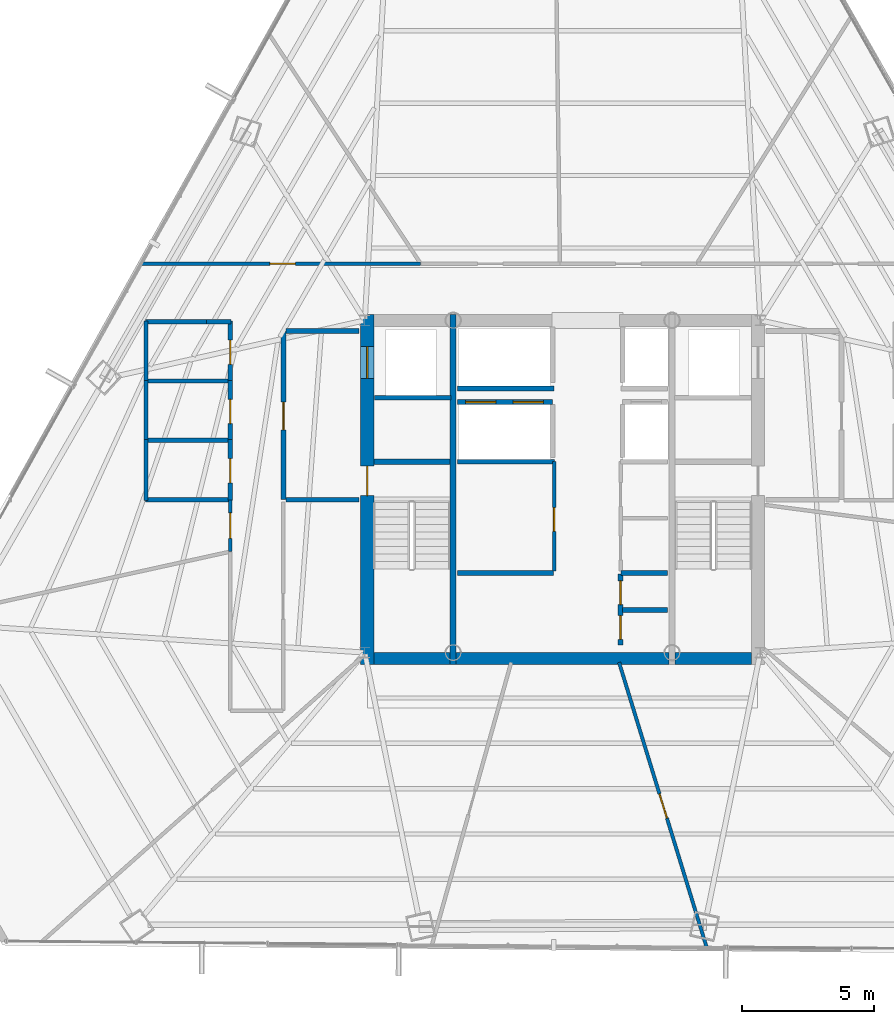
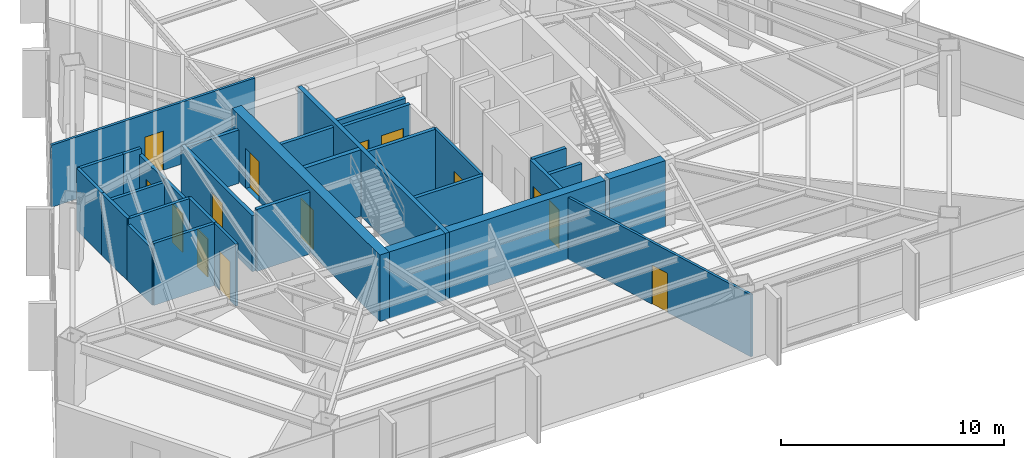
# One storey, part 34 of 39: 32 walls, 14 doors, 14 openings.
"""IFC4 building model written with IfcOpenShell, lengths in metres."""

from ifc_helpers import new_model, si_unit, direction, frame, frame_2d, origin, place, context, subcontext, project, spatial, rectangle, extrude, material, layer, layer_set, type_object, element, fill, save


model = new_model("IFC4")

# Units and contexts
model_context = context("Model", 3, precision=1e-05, world=origin(), true_north=direction((0.0, 1.0)))
body_context = subcontext(model_context, "Body", "Model", "MODEL_VIEW")
ifc_project = project(units=[si_unit("LENGTHUNIT", "METRE"), si_unit("AREAUNIT", "SQUARE_METRE"), si_unit("VOLUMEUNIT", "CUBIC_METRE"), si_unit("PLANEANGLEUNIT", "RADIAN"), si_unit("MASSUNIT", "GRAM", prefix="KILO")], contexts=[model_context])

# Site, building, storey
site_placement = place(None, origin())
site = spatial("IfcSite", under=ifc_project, at=site_placement, CompositionType="ELEMENT")
building_placement = place(site_placement, origin())
building = spatial("IfcBuilding", under=site, at=building_placement, Name="Caelisora Broadcast Tower", CompositionType="ELEMENT")
storey_placement = place(building_placement, frame((0.0, 0.0, 139.10009765625)))
storey = spatial("IfcBuildingStorey", under=building, at=storey_placement, Name="L36", CompositionType="ELEMENT", Elevation=139.10009765625)

# Wall, openings, doors
ifc_material_1 = material(Name="Concrete 50 MPa (AS 3600 S50)", Category="concrete")
ifc_layer_1 = layer(ifc_material_1, 0.5, Name="Concrete 50 MPa (AS 3600 S50)")
ifc_layer_set_1 = layer_set([ifc_layer_1], Name="Concrete 50 MPa (AS 3600 S50)")
wall_type_1 = type_object("IfcWallType", Name="CW2", PredefinedType="SHEAR", material=ifc_layer_set_1)
wall_1_placement = place(storey_placement, frame((30.590087890625, 16.949951171875, 0.0), z_axis=(0.0, 0.0, 1.0), x_axis=(0.0, 1.0, 0.0)))
wall_1 = element("IfcWall", 1, at=wall_1_placement, inside=storey, type_object=wall_type_1, Name="L36 core shear wall CW2", PredefinedType="SHEAR", context=body_context, shape_type="SweptSolid", body=[
    extrude(rectangle(XDim=13.275146484375, YDim=0.5, at=frame_2d((6.6376953125, 0.0))), origin(), (0.0, 0.0, 1.0), 3.64990234375),
])
opening_1_placement = place(wall_1_placement, frame((6.39990234375, 0.0, 0.0)))
opening_1 = element("IfcOpeningElement", 2, at=opening_1_placement, cuts=wall_1, Name="Opening FD04", PredefinedType="OPENING", context=body_context, shape_type="SweptSolid", body=[
    extrude(rectangle(XDim=1.1201171875, YDim=2.14990234375, at=frame_2d((0.56005859375, 1.074951171875))), frame((0.0, 0.261962890625, 0.0), z_axis=(0.0, -1.0, 0.0), x_axis=(1.0, 0.0, 0.0)), (0.0, 0.0, 1.0), 0.52392578125),
])
opening_2_placement = place(wall_1_placement, frame((10.85009765625, 0.0, 0.0)))
opening_2 = element("IfcOpeningElement", 3, at=opening_2_placement, cuts=wall_1, Name="Opening LD04", PredefinedType="OPENING", context=body_context, shape_type="SweptSolid", body=[
    extrude(rectangle(XDim=1.199951171875, YDim=2.199951171875, at=frame_2d((0.60009765625, 1.10009765625))), frame((0.0, 0.261962890625, 0.0), z_axis=(0.0, -1.0, 0.0), x_axis=(1.0, 0.0, 0.0)), (0.0, 0.0, 1.0), 0.52392578125),
])
ifc_material_2 = material(Name="Pressurised Fire-Isolated Stair Door", Category="steel")
door_type_1 = type_object("IfcDoorType", Name="FD04", OperationType="NOTDEFINED", PredefinedType="DOOR", material=ifc_material_2)
door_1_placement = place(opening_1_placement, origin())
door_1 = element("IfcDoor", 4, at=door_1_placement, inside=storey, type_object=door_type_1, Name="L36 door FD04 (L36-DR-ST1)", OperationType="SINGLE_SWING_LEFT", OverallHeight=2.14990234375, OverallWidth=1.1201171875, PredefinedType="DOOR", context=body_context, shape_type="SweptSolid", body=[
    extrude(rectangle(XDim=1.1201171875, YDim=2.14990234375, at=frame_2d((0.56005859375, 1.074951171875))), frame((0.0, 0.02490234375, 0.0), z_axis=(0.0, -1.0, 0.0), x_axis=(1.0, 0.0, 0.0)), (0.0, 0.0, 1.0), 0.050048828125),
])
fill(opening_1, door_1)
ifc_material_3 = material(Name="Emergency Firefighting Lift Sliding Landing Door", Category="steel")
door_type_2 = type_object("IfcDoorType", Name="LD04", OperationType="NOTDEFINED", PredefinedType="DOOR", material=ifc_material_3)
door_2_placement = place(opening_2_placement, origin())
door_2 = element("IfcDoor", 5, at=door_2_placement, inside=storey, type_object=door_type_2, Name="L36 door LD04 (L36-LD-FFL1)", OperationType="SLIDING_TO_LEFT", OverallHeight=2.199951171875, OverallWidth=1.199951171875, PredefinedType="DOOR", context=body_context, shape_type="SweptSolid", body=[
    extrude(rectangle(XDim=1.199951171875, YDim=2.199951171875, at=frame_2d((0.60009765625, 1.10009765625))), frame((0.0, 0.02490234375, 0.0), z_axis=(0.0, -1.0, 0.0), x_axis=(1.0, 0.0, 0.0)), (0.0, 0.0, 1.0), 0.050048828125),
])
fill(opening_2, door_2)

# Walls
ifc_layer_2 = layer(ifc_material_1, 0.449951171875, Name="Concrete 50 MPa (AS 3600 S50)")
ifc_layer_set_2 = layer_set([ifc_layer_2], Name="Concrete 50 MPa (AS 3600 S50)")
wall_type_2 = type_object("IfcWallType", Name="CW5", PredefinedType="SHEAR", material=ifc_layer_set_2)
wall_2_placement = place(storey_placement, frame((30.840087890625, 17.175048828125, 0.0), z_axis=(0.0, 0.0, 1.0), x_axis=(1.0, 0.0, 0.0)))
element("IfcWall", 6, at=wall_2_placement, inside=storey, type_object=wall_type_2, Name="L36 core shear wall CW5", PredefinedType="SHEAR", context=body_context, shape_type="SweptSolid", body=[
    extrude(rectangle(XDim=2.89990234375, YDim=0.449951171875, at=frame_2d((1.449951171875, 0.0))), origin(), (0.0, 0.0, 1.0), 3.64990234375),
])
wall_3_placement = place(storey_placement, frame((33.9599609375, 17.175048828125, 0.0), z_axis=(0.0, 0.0, 1.0), x_axis=(1.0, 0.0, 0.0)))
element("IfcWall", 7, at=wall_3_placement, inside=storey, type_object=wall_type_2, Name="L36 core shear wall CW5", PredefinedType="SHEAR", context=body_context, shape_type="SweptSolid", body=[
    extrude(rectangle(XDim=8.080078125, YDim=0.449951171875, at=frame_2d((4.0400390625, 0.0))), origin(), (0.0, 0.0, 1.0), 3.64990234375),
])
wall_4_placement = place(storey_placement, frame((42.260009765625, 17.175048828125, 0.0), z_axis=(0.0, 0.0, 1.0), x_axis=(1.0, 0.0, 0.0)))
element("IfcWall", 8, at=wall_4_placement, inside=storey, type_object=wall_type_2, Name="L36 core shear wall CW5", PredefinedType="SHEAR", context=body_context, shape_type="SweptSolid", body=[
    extrude(rectangle(XDim=2.89990234375, YDim=0.449951171875, at=frame_2d((1.449951171875, 0.0))), origin(), (0.0, 0.0, 1.0), 3.64990234375),
])
ifc_layer_3 = layer(ifc_material_1, 0.219970703125, Name="Concrete 50 MPa (AS 3600 S50)")
ifc_layer_set_3 = layer_set([ifc_layer_3], Name="Concrete 50 MPa (AS 3600 S50)")
wall_type_3 = type_object("IfcWallType", Name="CW7", PredefinedType="SHEAR", material=ifc_layer_set_3)
wall_5_placement = place(storey_placement, frame((33.85009765625, 16.949951171875, 0.0), z_axis=(0.0, 0.0, 1.0), x_axis=(0.0, 1.0, 0.0)))
element("IfcWall", 9, at=wall_5_placement, inside=storey, type_object=wall_type_3, Name="L36 core shear wall CW7", PredefinedType="SHEAR", context=body_context, shape_type="SweptSolid", body=[
    extrude(rectangle(XDim=13.275146484375, YDim=0.219970703125, at=frame_2d((6.6376953125, 0.0))), origin(), (0.0, 0.0, 1.0), 3.64990234375),
])
wall_6_placement = place(storey_placement, frame((30.840087890625, 24.639892578125, 0.0), z_axis=(0.0, 0.0, 1.0), x_axis=(1.0, 0.0, 0.0)))
element("IfcWall", 10, at=wall_6_placement, inside=storey, type_object=wall_type_3, Name="L36 core shear wall CW7", PredefinedType="SHEAR", context=body_context, shape_type="SweptSolid", body=[
    extrude(rectangle(XDim=2.89990234375, YDim=0.219970703125, at=frame_2d((1.449951171875, 0.0))), origin(), (0.0, 0.0, 1.0), 3.64990234375),
])

# Wall, openings, doors
ifc_material_4 = material(Name="Fire-Rated Gypsum Shaft and Compartment Wall", Category="gypsum")
ifc_layer_4 = layer(ifc_material_4, 0.179931640625, Name="Fire-Rated Gypsum Shaft and Compartment Wall")
ifc_layer_set_4 = layer_set([ifc_layer_4], Name="Fire-Rated Gypsum Shaft and Compartment Wall")
wall_type_4 = type_object("IfcWallType", Name="PW2", PredefinedType="PARTITIONING", material=ifc_layer_set_4)
wall_7_placement = place(storey_placement, frame((34.02001953125, 26.89990234375, 0.0), z_axis=(0.0, 0.0, 1.0), x_axis=(1.0, 0.0, 0.0)))
wall_7 = element("IfcWall", 11, at=wall_7_placement, inside=storey, type_object=wall_type_4, Name="L36 fire compartment wall PW2", PredefinedType="PARTITIONING", context=body_context, shape_type="SweptSolid", body=[
    extrude(rectangle(XDim=3.60009765625, YDim=0.179931640625, at=frame_2d((1.800048828125, 0.0))), origin(), (0.0, 0.0, 1.0), 3.39990234375),
])
opening_3_placement = place(wall_7_placement, frame((0.300048828125, 0.0, 0.0)))
opening_3 = element("IfcOpeningElement", 12, at=opening_3_placement, cuts=wall_7, Name="Opening LD02", PredefinedType="OPENING", context=body_context, shape_type="SweptSolid", body=[
    extrude(rectangle(XDim=1.14990234375, YDim=2.199951171875, at=frame_2d((0.574951171875, 1.10009765625))), frame((0.0, 0.10205078125, 0.0), z_axis=(0.0, -1.0, 0.0), x_axis=(1.0, 0.0, 0.0)), (0.0, 0.0, 1.0), 0.203857421875),
])
opening_4_placement = place(wall_7_placement, frame((2.10009765625, 0.0, 0.0)))
opening_4 = element("IfcOpeningElement", 13, at=opening_4_placement, cuts=wall_7, Name="Opening LD02", PredefinedType="OPENING", context=body_context, shape_type="SweptSolid", body=[
    extrude(rectangle(XDim=1.14990234375, YDim=2.199951171875, at=frame_2d((0.574951171875, 1.10009765625))), frame((0.0, 0.10205078125, 0.0), z_axis=(0.0, -1.0, 0.0), x_axis=(1.0, 0.0, 0.0)), (0.0, 0.0, 1.0), 0.203857421875),
])
ifc_material_5 = material(Name="High-Speed Express Lift Sliding Landing Door", Category="steel")
door_type_3 = type_object("IfcDoorType", Name="LD02", OperationType="NOTDEFINED", PredefinedType="DOOR", material=ifc_material_5)
door_3_placement = place(opening_3_placement, origin())
door_3 = element("IfcDoor", 14, at=door_3_placement, inside=storey, type_object=door_type_3, Name="L36 door LD02 (L36-LD-PLM1)", OperationType="SLIDING_TO_LEFT", OverallHeight=2.199951171875, OverallWidth=1.14990234375, PredefinedType="DOOR", context=body_context, shape_type="SweptSolid", body=[
    extrude(rectangle(XDim=1.14990234375, YDim=2.199951171875, at=frame_2d((0.574951171875, 1.10009765625))), frame((0.0, 0.02490234375, 0.0), z_axis=(0.0, -1.0, 0.0), x_axis=(1.0, 0.0, 0.0)), (0.0, 0.0, 1.0), 0.050048828125),
])
fill(opening_3, door_3)
door_4_placement = place(opening_4_placement, origin())
door_4 = element("IfcDoor", 15, at=door_4_placement, inside=storey, type_object=door_type_3, Name="L36 door LD02 (L36-LD-PLM2)", OperationType="SLIDING_TO_RIGHT", OverallHeight=2.199951171875, OverallWidth=1.14990234375, PredefinedType="DOOR", context=body_context, shape_type="SweptSolid", body=[
    extrude(rectangle(XDim=1.14990234375, YDim=2.199951171875, at=frame_2d((0.574951171875, 1.10009765625))), frame((0.0, 0.02490234375, 0.0), z_axis=(0.0, -1.0, 0.0), x_axis=(1.0, 0.0, 0.0)), (0.0, 0.0, 1.0), 0.050048828125),
])
fill(opening_4, door_4)

# Walls
wall_8_placement = place(storey_placement, frame((34.02001953125, 24.639892578125, 0.0), z_axis=(0.0, 0.0, 1.0), x_axis=(1.0, 0.0, 0.0)))
element("IfcWall", 16, at=wall_8_placement, inside=storey, type_object=wall_type_4, Name="L36 fire compartment wall PW2", PredefinedType="PARTITIONING", context=body_context, shape_type="SweptSolid", body=[
    extrude(rectangle(XDim=3.679931640625, YDim=0.179931640625, at=frame_2d((1.83984375, 0.0))), origin(), (0.0, 0.0, 1.0), 3.39990234375),
])
wall_9_placement = place(storey_placement, frame((34.02001953125, 27.419921875, 0.0), z_axis=(0.0, 0.0, 1.0), x_axis=(1.0, 0.0, 0.0)))
element("IfcWall", 17, at=wall_9_placement, inside=storey, type_object=wall_type_4, Name="L36 fire compartment wall PW2", PredefinedType="PARTITIONING", context=body_context, shape_type="SweptSolid", body=[
    extrude(rectangle(XDim=3.659912109375, YDim=0.179931640625, at=frame_2d((1.830078125, 0.0))), origin(), (0.0, 0.0, 1.0), 3.39990234375),
])

# Wall, opening, door
wall_10_placement = place(storey_placement, frame((27.419921875, 23.199951171875, 0.0), z_axis=(0.0, 0.0, 1.0), x_axis=(0.0, 1.0, 0.0)))
wall_10 = element("IfcWall", 18, at=wall_10_placement, inside=storey, type_object=wall_type_4, Name="L36 fire compartment wall PW2", PredefinedType="PARTITIONING", context=body_context, shape_type="SweptSolid", body=[
    extrude(rectangle(XDim=6.400146484375, YDim=0.179931640625, at=frame_2d((3.2001953125, 0.0))), origin(), (0.0, 0.0, 1.0), 3.07763671875),
])
opening_5_placement = place(wall_10_placement, frame((2.64990234375, 0.0, 0.0)))
opening_5 = element("IfcOpeningElement", 19, at=opening_5_placement, cuts=wall_10, Name="Opening FD02", PredefinedType="OPENING", context=body_context, shape_type="SweptSolid", body=[
    extrude(rectangle(XDim=1.050048828125, YDim=2.14990234375, at=frame_2d((0.52490234375, 1.074951171875))), frame((0.0, 0.10205078125, 0.0), z_axis=(0.0, -1.0, 0.0), x_axis=(1.0, 0.0, 0.0)), (0.0, 0.0, 1.0), 0.203857421875),
])
ifc_material_6 = material(Name="Single-Leaf Steel Fire Lobby Door", Category="steel")
door_type_4 = type_object("IfcDoorType", Name="FD02", OperationType="NOTDEFINED", PredefinedType="DOOR", material=ifc_material_6)
door_5_placement = place(opening_5_placement, origin())
door_5 = element("IfcDoor", 20, at=door_5_placement, inside=storey, type_object=door_type_4, Name="L36 door FD02 (L36-DR-P01D1)", OperationType="SINGLE_SWING_LEFT", OverallHeight=2.14990234375, OverallWidth=1.050048828125, PredefinedType="DOOR", context=body_context, shape_type="SweptSolid", body=[
    extrude(rectangle(XDim=1.050048828125, YDim=2.14990234375, at=frame_2d((0.52490234375, 1.074951171875))), frame((0.0, 0.02490234375, 0.0), z_axis=(0.0, -1.0, 0.0), x_axis=(1.0, 0.0, 0.0)), (0.0, 0.0, 1.0), 0.050048828125),
])
fill(opening_5, door_5)

# Walls
wall_11_placement = place(storey_placement, frame((27.52001953125, 23.199951171875, 0.0), z_axis=(0.0, 0.0, 1.0), x_axis=(1.0, 0.0, 0.0)))
element("IfcWall", 21, at=wall_11_placement, inside=storey, type_object=wall_type_4, Name="L36 fire compartment wall PW2", PredefinedType="PARTITIONING", context=body_context, shape_type="SweptSolid", body=[
    extrude(rectangle(XDim=2.760009765625, YDim=0.179931640625, at=frame_2d((1.3798828125, 0.0))), origin(), (0.0, 0.0, 1.0), 3.39990234375),
])
wall_12_placement = place(storey_placement, frame((27.52001953125, 29.60009765625, 0.0), z_axis=(0.0, 0.0, 1.0), x_axis=(1.0, 0.0, 0.0)))
element("IfcWall", 22, at=wall_12_placement, inside=storey, type_object=wall_type_4, Name="L36 fire compartment wall PW2", PredefinedType="PARTITIONING", context=body_context, shape_type="SweptSolid", body=[
    extrude(rectangle(XDim=2.760009765625, YDim=0.179931640625, at=frame_2d((1.3798828125, 0.0))), origin(), (0.0, 0.0, 1.0), 2.924560546875),
])
wall_13_placement = place(storey_placement, frame((30.860107421875, 27.070068359375, 0.0), z_axis=(0.0, 0.0, 1.0), x_axis=(1.0, 0.0, 0.0)))
element("IfcWall", 23, at=wall_13_placement, inside=storey, type_object=wall_type_4, Name="L36 fire compartment wall PW2", PredefinedType="PARTITIONING", context=body_context, shape_type="SweptSolid", body=[
    extrude(rectangle(XDim=2.89990234375, YDim=0.179931640625, at=frame_2d((1.449951171875, 0.0))), origin(), (0.0, 0.0, 1.0), 3.39990234375),
])
wall_14_placement = place(storey_placement, frame((34.02001953125, 20.419921875, 0.0), z_axis=(0.0, 0.0, 1.0), x_axis=(1.0, 0.0, 0.0)))
element("IfcWall", 24, at=wall_14_placement, inside=storey, type_object=wall_type_4, Name="L36 fire compartment wall PW2", PredefinedType="PARTITIONING", context=body_context, shape_type="SweptSolid", body=[
    extrude(rectangle(XDim=3.639892578125, YDim=0.179931640625, at=frame_2d((1.81982421875, 0.0))), origin(), (0.0, 0.0, 1.0), 3.39990234375),
])
wall_15_placement = place(storey_placement, frame((40.219970703125, 20.419921875, 0.0), z_axis=(0.0, 0.0, 1.0), x_axis=(1.0, 0.0, 0.0)))
element("IfcWall", 25, at=wall_15_placement, inside=storey, type_object=wall_type_4, Name="L36 fire compartment wall PW2", PredefinedType="PARTITIONING", context=body_context, shape_type="SweptSolid", body=[
    extrude(rectangle(XDim=1.760009765625, YDim=0.179931640625, at=frame_2d((0.8798828125, 0.0))), origin(), (0.0, 0.0, 1.0), 3.39990234375),
])
wall_16_placement = place(storey_placement, frame((40.280029296875, 19.02001953125, 0.0), z_axis=(0.0, 0.0, 1.0), x_axis=(1.0, 0.0, 0.0)))
element("IfcWall", 26, at=wall_16_placement, inside=storey, type_object=wall_type_4, Name="L36 fire compartment wall PW2", PredefinedType="PARTITIONING", context=body_context, shape_type="SweptSolid", body=[
    extrude(rectangle(XDim=1.699951171875, YDim=0.179931640625, at=frame_2d((0.85009765625, 0.0))), origin(), (0.0, 0.0, 1.0), 3.39990234375),
])

# Wall, openings, doors
wall_17_placement = place(storey_placement, frame((40.199951171875, 17.679931640625, 0.0), z_axis=(0.0, 0.0, 1.0), x_axis=(0.0, 1.0, 0.0)))
wall_17 = element("IfcWall", 27, at=wall_17_placement, inside=storey, type_object=wall_type_4, Name="L36 fire compartment wall PW2", PredefinedType="PARTITIONING", context=body_context, shape_type="SweptSolid", body=[
    extrude(rectangle(XDim=2.699951171875, YDim=0.179931640625, at=frame_2d((1.35009765625, 0.0))), origin(), (0.0, 0.0, 1.0), 3.39990234375),
])
opening_6_placement = place(wall_17_placement, frame((0.219970703125, 0.0, 0.0)))
opening_6 = element("IfcOpeningElement", 28, at=opening_6_placement, cuts=wall_17, Name="Opening FD03", PredefinedType="OPENING", context=body_context, shape_type="SweptSolid", body=[
    extrude(rectangle(XDim=0.89990234375, YDim=2.10009765625, at=frame_2d((0.449951171875, 1.050048828125))), frame((0.0, 0.10205078125, 0.0), z_axis=(0.0, -1.0, 0.0), x_axis=(1.0, 0.0, 0.0)), (0.0, 0.0, 1.0), 0.203857421875),
])
opening_7_placement = place(wall_17_placement, frame((1.5400390625, 0.0, 0.0)))
opening_7 = element("IfcOpeningElement", 29, at=opening_7_placement, cuts=wall_17, Name="Opening FD03", PredefinedType="OPENING", context=body_context, shape_type="SweptSolid", body=[
    extrude(rectangle(XDim=0.89990234375, YDim=2.10009765625, at=frame_2d((0.449951171875, 1.050048828125))), frame((0.0, 0.10205078125, 0.0), z_axis=(0.0, -1.0, 0.0), x_axis=(1.0, 0.0, 0.0)), (0.0, 0.0, 1.0), 0.203857421875),
])
ifc_material_7 = material(Name="Single-Leaf Steel Riser Fire Access Door", Category="steel")
door_type_5 = type_object("IfcDoorType", Name="FD03", OperationType="NOTDEFINED", PredefinedType="DOOR", material=ifc_material_7)
door_6_placement = place(opening_6_placement, origin())
door_6 = element("IfcDoor", 30, at=door_6_placement, inside=storey, type_object=door_type_5, Name="L36 door FD03 (L36-DR-P15D1)", OperationType="SINGLE_SWING_RIGHT", OverallHeight=2.10009765625, OverallWidth=0.89990234375, PredefinedType="DOOR", context=body_context, shape_type="SweptSolid", body=[
    extrude(rectangle(XDim=0.89990234375, YDim=2.10009765625, at=frame_2d((0.449951171875, 1.050048828125))), frame((0.0, 0.02490234375, 0.0), z_axis=(0.0, -1.0, 0.0), x_axis=(1.0, 0.0, 0.0)), (0.0, 0.0, 1.0), 0.050048828125),
])
fill(opening_6, door_6)
door_7_placement = place(opening_7_placement, origin())
door_7 = element("IfcDoor", 31, at=door_7_placement, inside=storey, type_object=door_type_5, Name="L36 door FD03 (L36-DR-P15D2)", OperationType="SINGLE_SWING_LEFT", OverallHeight=2.10009765625, OverallWidth=0.89990234375, PredefinedType="DOOR", context=body_context, shape_type="SweptSolid", body=[
    extrude(rectangle(XDim=0.89990234375, YDim=2.10009765625, at=frame_2d((0.449951171875, 1.050048828125))), frame((0.0, 0.02490234375, 0.0), z_axis=(0.0, -1.0, 0.0), x_axis=(1.0, 0.0, 0.0)), (0.0, 0.0, 1.0), 0.050048828125),
])
fill(opening_7, door_7)

# Wall, opening, door
ifc_material_8 = material(Name="Acoustic Steel-Stud Plasterboard Partition", Category="gypsum")
ifc_layer_5 = layer(ifc_material_8, 0.1298828125, Name="Acoustic Steel-Stud Plasterboard Partition")
ifc_layer_set_5 = layer_set([ifc_layer_5], Name="Acoustic Steel-Stud Plasterboard Partition")
wall_type_5 = type_object("IfcWallType", Name="PW3", PredefinedType="PARTITIONING", material=ifc_layer_set_5)
wall_18_placement = place(storey_placement, frame((37.679931640625, 20.5, 0.0), z_axis=(0.0, 0.0, 1.0), x_axis=(0.0, 1.0, 0.0)))
wall_18 = element("IfcWall", 32, at=wall_18_placement, inside=storey, type_object=wall_type_5, Name="L36 internal partition PW3", PredefinedType="PARTITIONING", context=body_context, shape_type="SweptSolid", body=[
    extrude(rectangle(XDim=4.139892578125, YDim=0.1298828125, at=frame_2d((2.06982421875, 0.0))), origin(), (0.0, 0.0, 1.0), 3.39990234375),
])
opening_8_placement = place(wall_18_placement, frame((1.5, 0.0, 0.0)))
opening_8 = element("IfcOpeningElement", 33, at=opening_8_placement, cuts=wall_18, Name="Opening FD03", PredefinedType="OPENING", context=body_context, shape_type="SweptSolid", body=[
    extrude(rectangle(XDim=0.89990234375, YDim=2.10009765625, at=frame_2d((0.449951171875, 1.050048828125))), frame((0.0, 0.076904296875, 0.0), z_axis=(0.0, -1.0, 0.0), x_axis=(1.0, 0.0, 0.0)), (0.0, 0.0, 1.0), 0.15380859375),
])
door_8_placement = place(opening_8_placement, origin())
door_8 = element("IfcDoor", 34, at=door_8_placement, inside=storey, type_object=door_type_5, Name="L36 door FD03 (L36-DR-P12D1)", OperationType="SINGLE_SWING_LEFT", OverallHeight=2.10009765625, OverallWidth=0.89990234375, PredefinedType="DOOR", context=body_context, shape_type="SweptSolid", body=[
    extrude(rectangle(XDim=0.89990234375, YDim=2.10009765625, at=frame_2d((0.449951171875, 1.050048828125))), frame((0.0, 0.02490234375, 0.0), z_axis=(0.0, -1.0, 0.0), x_axis=(1.0, 0.0, 0.0)), (0.0, 0.0, 1.0), 0.050048828125),
])
fill(opening_8, door_8)

wall_19_placement = place(storey_placement, frame((40.14208984375, 17.028076171875, 0.0), z_axis=(0.0, 0.0, 1.0), x_axis=(0.293908154099, -0.955833665945, 0.0)))
wall_19 = element("IfcWall", 35, at=wall_19_placement, inside=storey, type_object=wall_type_5, Name="L36 internal partition PW3", PredefinedType="PARTITIONING", context=body_context, shape_type="SweptSolid", body=[
    extrude(rectangle(XDim=11.29638671875, YDim=0.1298828125, at=frame_2d((5.648193359375, 0.0))), origin(), (0.0, 0.0, 1.0), 3.39990234375),
])
opening_9_placement = place(wall_19_placement, frame((5.216064453125, 0.0, 0.0)))
opening_9 = element("IfcOpeningElement", 36, at=opening_9_placement, cuts=wall_19, Name="Opening D01", PredefinedType="OPENING", context=body_context, shape_type="SweptSolid", body=[
    extrude(rectangle(XDim=0.9599609375, YDim=2.14990234375, at=frame_2d((0.47998046875, 1.074951171875))), frame((0.0, 0.076904296875, 0.0), z_axis=(0.0, -1.0, 0.0), x_axis=(1.0, 0.0, 0.0)), (0.0, 0.0, 1.0), 0.15380859375),
])
ifc_material_9 = material(Name="Solid-Core Timber Acoustic Office Door", Category="wood")
door_type_6 = type_object("IfcDoorType", Name="D01", OperationType="NOTDEFINED", PredefinedType="DOOR", material=ifc_material_9)
door_9_placement = place(opening_9_placement, origin())
door_9 = element("IfcDoor", 37, at=door_9_placement, inside=storey, type_object=door_type_6, Name="L36 door D01 (L36-DR-P31D1)", OperationType="SINGLE_SWING_LEFT", OverallHeight=2.14990234375, OverallWidth=0.9599609375, PredefinedType="DOOR", context=body_context, shape_type="SweptSolid", body=[
    extrude(rectangle(XDim=0.9599609375, YDim=2.14990234375, at=frame_2d((0.47998046875, 1.074951171875))), frame((0.0, 0.02490234375, 0.0), z_axis=(0.0, -1.0, 0.0), x_axis=(1.0, 0.0, 0.0)), (0.0, 0.0, 1.0), 0.050048828125),
])
fill(opening_9, door_9)

wall_20_placement = place(storey_placement, frame((22.04736328125, 32.14990234375, 0.0), z_axis=(0.0, 0.0, 1.0), x_axis=(1.0, 0.0, 0.0)))
wall_20 = element("IfcWall", 38, at=wall_20_placement, inside=storey, type_object=wall_type_5, Name="L36 internal partition PW3", PredefinedType="PARTITIONING", context=body_context, shape_type="SweptSolid", body=[
    extrude(rectangle(XDim=10.567626953125, YDim=0.1298828125, at=frame_2d((5.28369140625, 0.0))), origin(), (0.0, 0.0, 1.0), 3.39990234375),
])
opening_10_placement = place(wall_20_placement, frame((4.85693359375, 0.0, 0.0)))
opening_10 = element("IfcOpeningElement", 39, at=opening_10_placement, cuts=wall_20, Name="Opening D01", PredefinedType="OPENING", context=body_context, shape_type="SweptSolid", body=[
    extrude(rectangle(XDim=0.9599609375, YDim=2.14990234375, at=frame_2d((0.47998046875, 1.074951171875))), frame((0.0, 0.076904296875, 0.0), z_axis=(0.0, -1.0, 0.0), x_axis=(1.0, 0.0, 0.0)), (0.0, 0.0, 1.0), 0.15380859375),
])
door_10_placement = place(opening_10_placement, origin())
door_10 = element("IfcDoor", 40, at=door_10_placement, inside=storey, type_object=door_type_6, Name="L36 door D01 (L36-DR-P36D1)", OperationType="SINGLE_SWING_RIGHT", OverallHeight=2.14990234375, OverallWidth=0.9599609375, PredefinedType="DOOR", context=body_context, shape_type="SweptSolid", body=[
    extrude(rectangle(XDim=0.9599609375, YDim=2.14990234375, at=frame_2d((0.47998046875, 1.074951171875))), frame((0.0, 0.02490234375, 0.0), z_axis=(0.0, -1.0, 0.0), x_axis=(1.0, 0.0, 0.0)), (0.0, 0.0, 1.0), 0.050048828125),
])
fill(opening_10, door_10)

wall_21_placement = place(storey_placement, frame((25.39990234375, 21.235107421875, 0.0), z_axis=(0.0, 0.0, 1.0), x_axis=(0.0, 1.0, 0.0)))
wall_21 = element("IfcWall", 41, at=wall_21_placement, inside=storey, type_object=wall_type_5, Name="L36 internal partition PW3", PredefinedType="PARTITIONING", context=body_context, shape_type="SweptSolid", body=[
    extrude(rectangle(XDim=1.9599609375, YDim=0.1298828125, at=frame_2d((0.97998046875, 0.0))), origin(), (0.0, 0.0, 1.0), 3.39990234375),
])
opening_11_placement = place(wall_21_placement, frame((0.5, 0.0, 0.0)))
opening_11 = element("IfcOpeningElement", 42, at=opening_11_placement, cuts=wall_21, Name="Opening D01", PredefinedType="OPENING", context=body_context, shape_type="SweptSolid", body=[
    extrude(rectangle(XDim=0.9599609375, YDim=2.14990234375, at=frame_2d((0.47998046875, 1.074951171875))), frame((0.0, 0.076904296875, 0.0), z_axis=(0.0, -1.0, 0.0), x_axis=(1.0, 0.0, 0.0)), (0.0, 0.0, 1.0), 0.15380859375),
])
door_11_placement = place(opening_11_placement, origin())
door_11 = element("IfcDoor", 43, at=door_11_placement, inside=storey, type_object=door_type_6, Name="L36 door D01 (L36-DR-P48D1)", OperationType="SINGLE_SWING_LEFT", OverallHeight=2.14990234375, OverallWidth=0.9599609375, PredefinedType="DOOR", context=body_context, shape_type="SweptSolid", body=[
    extrude(rectangle(XDim=0.9599609375, YDim=2.14990234375, at=frame_2d((0.47998046875, 1.074951171875))), frame((0.0, 0.02490234375, 0.0), z_axis=(0.0, -1.0, 0.0), x_axis=(1.0, 0.0, 0.0)), (0.0, 0.0, 1.0), 0.050048828125),
])
fill(opening_11, door_11)

# Walls
ifc_material_10 = material(Name="Moisture-Resistant Wet Plumbing Service Wall", Category="gypsum")
ifc_layer_6 = layer(ifc_material_10, 0.159912109375, Name="Moisture-Resistant Wet Plumbing Service Wall")
ifc_layer_set_6 = layer_set([ifc_layer_6], Name="Moisture-Resistant Wet Plumbing Service Wall")
wall_type_6 = type_object("IfcWallType", Name="PW4", PredefinedType="PLUMBINGWALL", material=ifc_layer_set_6)
for number, where, z_axis, x_axis, name in (
    (44, (22.175048828125, 23.199951171875, 0.0), (0.0, 0.0, 1.0), (1.0, 0.0, 0.0), "L36 wet plumbing wall PW4"),
    (45, (22.175048828125, 25.449951171875, 0.0), (0.0, 0.0, 1.0), (1.0, 0.0, 0.0), "L36 wet plumbing wall PW4"),
):
    element("IfcWall", number, at=place(storey_placement, frame(where, z_axis=z_axis, x_axis=x_axis)), inside=storey, type_object=wall_type_6, Name=name, PredefinedType="PLUMBINGWALL", context=body_context, shape_type="SweptSolid", body=[
        extrude(rectangle(XDim=3.25, YDim=0.159912109375, at=frame_2d((1.625, 0.0))), origin(), (0.0, 0.0, 1.0), 3.39990234375),
    ])
wall_22_placement = place(storey_placement, frame((22.175048828125, 27.699951171875, 0.0), z_axis=(0.0, 0.0, 1.0), x_axis=(1.0, 0.0, 0.0)))
element("IfcWall", 46, at=wall_22_placement, inside=storey, type_object=wall_type_6, Name="L36 wet plumbing wall PW4", PredefinedType="PLUMBINGWALL", context=body_context, shape_type="SweptSolid", body=[
    extrude(rectangle(XDim=3.25, YDim=0.159912109375, at=frame_2d((1.625, 0.0))), origin(), (0.0, 0.0, 1.0), 2.924560546875),
])
wall_23_placement = place(storey_placement, frame((22.175048828125, 29.949951171875, 0.0), z_axis=(0.0, 0.0, 1.0), x_axis=(1.0, 0.0, 0.0)))
element("IfcWall", 47, at=wall_23_placement, inside=storey, type_object=wall_type_6, Name="L36 wet plumbing wall PW4", PredefinedType="PLUMBINGWALL", context=body_context, shape_type="SweptSolid", body=[
    extrude(rectangle(XDim=2.369873046875, YDim=0.159912109375, at=frame_2d((1.18505859375, 0.0))), origin(), (0.0, 0.0, 1.0), 3.39990234375),
])

# Wall, opening, door
wall_24_placement = place(storey_placement, frame((25.39990234375, 23.175048828125, 0.0), z_axis=(0.0, 0.0, 1.0), x_axis=(0.0, 1.0, 0.0)))
wall_24 = element("IfcWall", 48, at=wall_24_placement, inside=storey, type_object=wall_type_6, Name="L36 wet plumbing wall PW4", PredefinedType="PLUMBINGWALL", context=body_context, shape_type="SweptSolid", body=[
    extrude(rectangle(XDim=2.300048828125, YDim=0.159912109375, at=frame_2d((1.14990234375, 0.0))), origin(), (0.0, 0.0, 1.0), 3.39990234375),
])
opening_12_placement = place(wall_24_placement, frame((0.659912109375, 0.0, 0.0)))
opening_12 = element("IfcOpeningElement", 49, at=opening_12_placement, cuts=wall_24, Name="Opening D03", PredefinedType="OPENING", context=body_context, shape_type="SweptSolid", body=[
    extrude(rectangle(XDim=0.919921875, YDim=2.10009765625, at=frame_2d((0.4599609375, 1.050048828125))), frame((0.0, 0.092041015625, 0.0), z_axis=(0.0, -1.0, 0.0), x_axis=(1.0, 0.0, 0.0)), (0.0, 0.0, 1.0), 0.183837890625),
])
ifc_material_11 = material(Name="Laminate Moisture-Resistant Amenity WC Door", Category="wood")
door_type_7 = type_object("IfcDoorType", Name="D03", OperationType="NOTDEFINED", PredefinedType="DOOR", material=ifc_material_11)
door_12_placement = place(opening_12_placement, origin())
door_12 = element("IfcDoor", 50, at=door_12_placement, inside=storey, type_object=door_type_7, Name="L36 door D03 (L36-DR-P20D1)", OperationType="SINGLE_SWING_RIGHT", OverallHeight=2.10009765625, OverallWidth=0.919921875, PredefinedType="DOOR", context=body_context, shape_type="SweptSolid", body=[
    extrude(rectangle(XDim=0.919921875, YDim=2.10009765625, at=frame_2d((0.4599609375, 1.050048828125))), frame((0.0, 0.02490234375, 0.0), z_axis=(0.0, -1.0, 0.0), x_axis=(1.0, 0.0, 0.0)), (0.0, 0.0, 1.0), 0.050048828125),
])
fill(opening_12, door_12)

wall_25_placement = place(storey_placement, frame((25.39990234375, 25.425048828125, 0.0), z_axis=(0.0, 0.0, 1.0), x_axis=(0.0, 1.0, 0.0)))
wall_25 = element("IfcWall", 51, at=wall_25_placement, inside=storey, type_object=wall_type_6, Name="L36 wet plumbing wall PW4", PredefinedType="PLUMBINGWALL", context=body_context, shape_type="SweptSolid", body=[
    extrude(rectangle(XDim=2.300048828125, YDim=0.159912109375, at=frame_2d((1.14990234375, 0.0))), origin(), (0.0, 0.0, 1.0), 3.07763671875),
])
opening_13_placement = place(wall_25_placement, frame((0.659912109375, 0.0, 0.0)))
opening_13 = element("IfcOpeningElement", 52, at=opening_13_placement, cuts=wall_25, Name="Opening D03", PredefinedType="OPENING", context=body_context, shape_type="SweptSolid", body=[
    extrude(rectangle(XDim=0.919921875, YDim=2.10009765625, at=frame_2d((0.4599609375, 1.050048828125))), frame((0.0, 0.092041015625, 0.0), z_axis=(0.0, -1.0, 0.0), x_axis=(1.0, 0.0, 0.0)), (0.0, 0.0, 1.0), 0.183837890625),
])
door_13_placement = place(opening_13_placement, origin())
door_13 = element("IfcDoor", 53, at=door_13_placement, inside=storey, type_object=door_type_7, Name="L36 door D03 (L36-DR-P21D1)", OperationType="SINGLE_SWING_LEFT", OverallHeight=2.10009765625, OverallWidth=0.919921875, PredefinedType="DOOR", context=body_context, shape_type="SweptSolid", body=[
    extrude(rectangle(XDim=0.919921875, YDim=2.10009765625, at=frame_2d((0.4599609375, 1.050048828125))), frame((0.0, 0.02490234375, 0.0), z_axis=(0.0, -1.0, 0.0), x_axis=(1.0, 0.0, 0.0)), (0.0, 0.0, 1.0), 0.050048828125),
])
fill(opening_13, door_13)

wall_26_placement = place(storey_placement, frame((25.39990234375, 27.675048828125, 0.0), z_axis=(0.0, 0.0, 1.0), x_axis=(0.0, 1.0, 0.0)))
wall_26 = element("IfcWall", 54, at=wall_26_placement, inside=storey, type_object=wall_type_6, Name="L36 wet plumbing wall PW4", PredefinedType="PLUMBINGWALL", context=body_context, shape_type="SweptSolid", body=[
    extrude(rectangle(XDim=2.300048828125, YDim=0.159912109375, at=frame_2d((1.14990234375, 0.0))), origin(), (0.0, 0.0, 1.0), 3.07763671875),
])
opening_14_placement = place(wall_26_placement, frame((0.659912109375, 0.0, 0.0)))
opening_14 = element("IfcOpeningElement", 55, at=opening_14_placement, cuts=wall_26, Name="Opening D03", PredefinedType="OPENING", context=body_context, shape_type="SweptSolid", body=[
    extrude(rectangle(XDim=0.919921875, YDim=2.10009765625, at=frame_2d((0.4599609375, 1.050048828125))), frame((0.0, 0.092041015625, 0.0), z_axis=(0.0, -1.0, 0.0), x_axis=(1.0, 0.0, 0.0)), (0.0, 0.0, 1.0), 0.183837890625),
])
door_14_placement = place(opening_14_placement, origin())
door_14 = element("IfcDoor", 56, at=door_14_placement, inside=storey, type_object=door_type_7, Name="L36 door D03 (L36-DR-P22D1)", OperationType="SINGLE_SWING_RIGHT", OverallHeight=2.10009765625, OverallWidth=0.919921875, PredefinedType="DOOR", context=body_context, shape_type="SweptSolid", body=[
    extrude(rectangle(XDim=0.919921875, YDim=2.10009765625, at=frame_2d((0.4599609375, 1.050048828125))), frame((0.0, 0.02490234375, 0.0), z_axis=(0.0, -1.0, 0.0), x_axis=(1.0, 0.0, 0.0)), (0.0, 0.0, 1.0), 0.050048828125),
])
fill(opening_14, door_14)

# Walls
wall_27_placement = place(storey_placement, frame((22.199951171875, 25.47509765625, 0.0), z_axis=(0.0, 0.0, 1.0), x_axis=(0.0, -1.0, 0.0)))
element("IfcWall", 57, at=wall_27_placement, inside=storey, type_object=wall_type_6, Name="L36 wet plumbing wall PW4", PredefinedType="PLUMBINGWALL", context=body_context, shape_type="SweptSolid", body=[
    extrude(rectangle(XDim=2.300048828125, YDim=0.159912109375, at=frame_2d((1.14990234375, 0.0))), origin(), (0.0, 0.0, 1.0), 3.07763671875),
])
for number, where, z_axis, x_axis, name in (
    (58, (22.199951171875, 25.425048828125, 0.0), (0.0, 0.0, 1.0), (0.0, 1.0, 0.0), "L36 wet plumbing wall PW4"),
    (59, (22.199951171875, 27.675048828125, 0.0), (0.0, 0.0, 1.0), (0.0, 1.0, 0.0), "L36 wet plumbing wall PW4"),
):
    element("IfcWall", number, at=place(storey_placement, frame(where, z_axis=z_axis, x_axis=x_axis)), inside=storey, type_object=wall_type_6, Name=name, PredefinedType="PLUMBINGWALL", context=body_context, shape_type="SweptSolid", body=[
        extrude(rectangle(XDim=2.300048828125, YDim=0.159912109375, at=frame_2d((1.14990234375, 0.0))), origin(), (0.0, 0.0, 1.0), 3.39990234375),
    ])
wall_28_placement = place(storey_placement, frame((24.4951171875, 29.949951171875, 0.0), z_axis=(0.0, 0.0, 1.0), x_axis=(1.0, 0.0, 0.0)))
element("IfcWall", 60, at=wall_28_placement, inside=storey, type_object=wall_type_6, Name="L36 wet plumbing wall PW4", PredefinedType="PLUMBINGWALL", context=body_context, shape_type="SweptSolid", body=[
    extrude(rectangle(XDim=0.929931640625, YDim=0.159912109375, at=frame_2d((0.46484375, 0.0))), origin(), (0.0, 0.0, 1.0), 3.39990234375),
])

save(model, "model.ifc")
